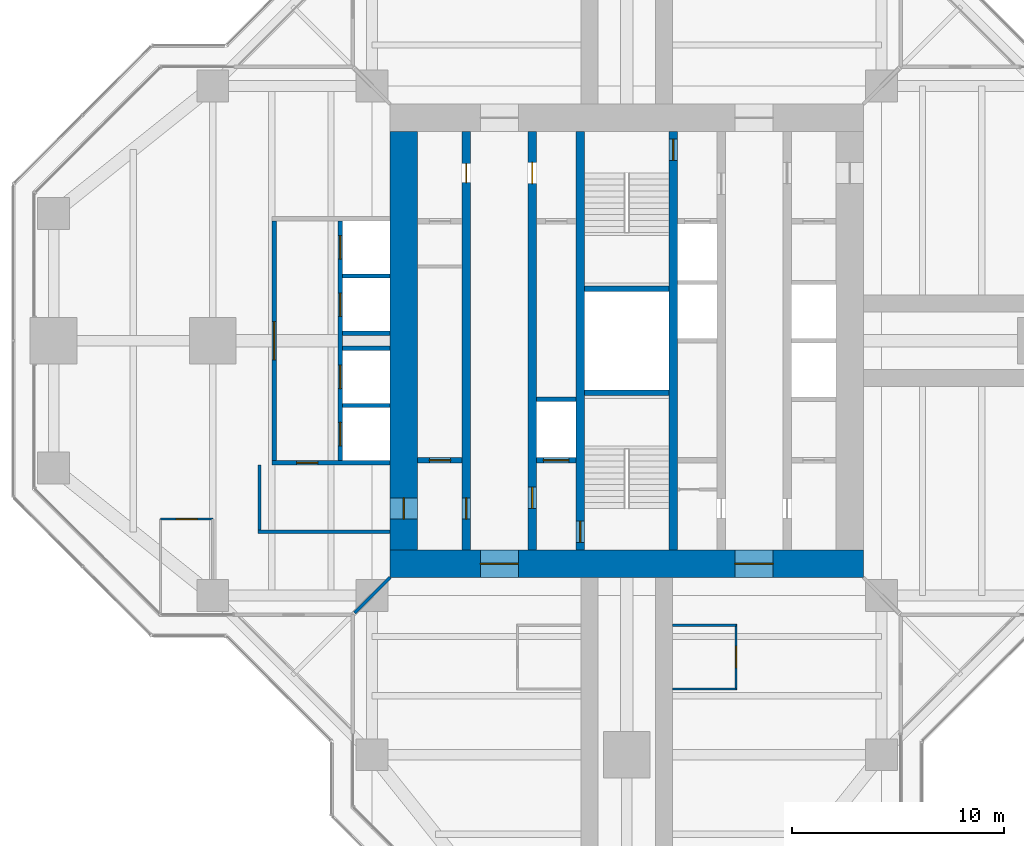
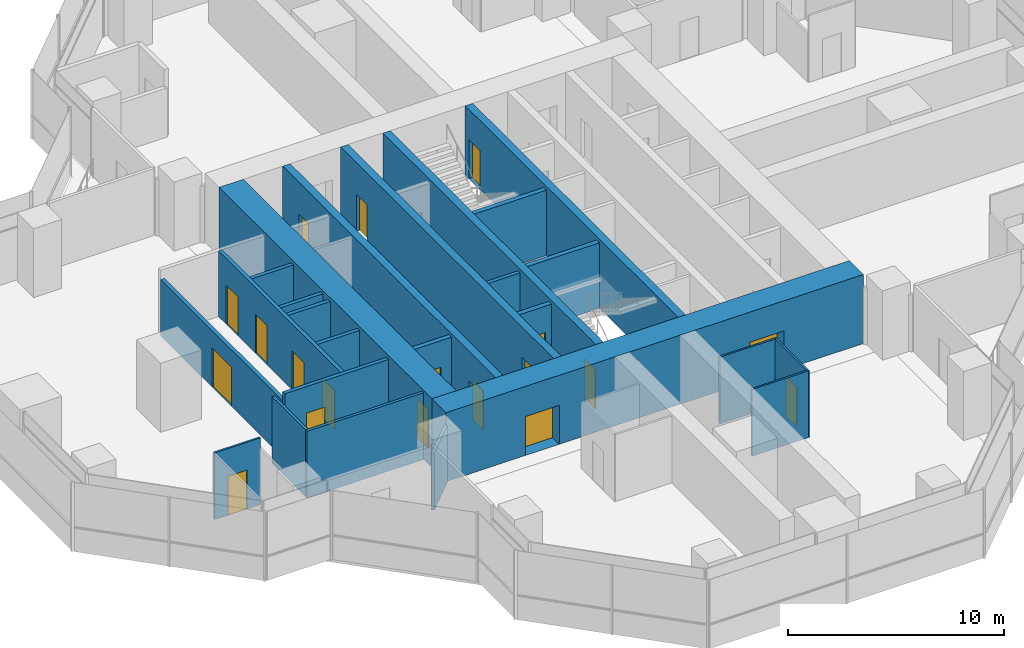
# One storey, part 13 of 17: 25 walls, 19 doors, 19 openings.
"""IFC4 building model written with IfcOpenShell, lengths in metres."""

from ifc_helpers import new_model, si_unit, direction, frame, frame_2d, origin, place, context, subcontext, project, spatial, rectangle, extrude, material, layer, layer_set, type_object, element, fill, save


model = new_model("IFC4")

# Units and contexts
model_context = context("Model", 3, precision=1e-05, world=origin(), true_north=direction((0.0, 1.0)))
body_context = subcontext(model_context, "Body", "Model", "MODEL_VIEW")
ifc_project = project(units=[si_unit("LENGTHUNIT", "METRE"), si_unit("AREAUNIT", "SQUARE_METRE"), si_unit("VOLUMEUNIT", "CUBIC_METRE"), si_unit("PLANEANGLEUNIT", "RADIAN"), si_unit("MASSUNIT", "GRAM", prefix="KILO")], contexts=[model_context])

# Site, building, storey
site_placement = place(None, origin())
site = spatial("IfcSite", under=ifc_project, at=site_placement, CompositionType="ELEMENT")
building_placement = place(site_placement, origin())
building = spatial("IfcBuilding", under=site, at=building_placement, Name="Mizan Broadcast Tower", CompositionType="ELEMENT")
storey_placement = place(building_placement, frame((0.0, 0.0, 255.60009765625)))
storey = spatial("IfcBuildingStorey", under=building, at=storey_placement, Name="L60", CompositionType="ELEMENT", Elevation=255.60009765625)

# Wall, openings, doors
ifc_material_1 = material(Name="Concrete C70/85", Category="concrete")
ifc_layer_1 = layer(ifc_material_1, 0.39990234375)
ifc_layer_set_1 = layer_set([ifc_layer_1], Name="Concrete C70/85")
wall_type_1 = type_object("IfcWallType", Name="CORE INTERNAL WALL 400", PredefinedType="SHEAR", material=ifc_layer_set_1)
wall_1_placement = place(storey_placement, frame((-7.550048828125, -9.85009765625, 0.0), z_axis=(0.0, 0.0, 1.0), x_axis=(0.0, 1.0, 0.0)))
wall_1 = element("IfcWall", 1, at=wall_1_placement, inside=storey, type_object=wall_type_1, Name="Core wall CORE/XW1", PredefinedType="SHEAR", context=body_context, shape_type="SweptSolid", body=[
    extrude(rectangle(XDim=19.7001953125, YDim=0.39990234375, at=frame_2d((9.85009765625, 0.0))), origin(), (0.0, 0.0, 1.0), 3.89990234375),
])
opening_1_placement = place(wall_1_placement, frame((1.449951171875, 0.0, 0.0)))
opening_1 = element("IfcOpeningElement", 2, at=opening_1_placement, cuts=wall_1, Name="Opening D10F", PredefinedType="OPENING", context=body_context, shape_type="SweptSolid", body=[
    extrude(rectangle(XDim=1.0, YDim=2.199951171875, at=frame_2d((0.5, 1.10009765625))), frame((0.0, 0.2099609375, 0.0), z_axis=(0.0, -1.0, 0.0), x_axis=(1.0, 0.0, 0.0)), (0.0, 0.0, 1.0), 0.419921875),
])
opening_2_placement = place(wall_1_placement, frame((17.300048828125, 0.0, 0.0)))
opening_2 = element("IfcOpeningElement", 3, at=opening_2_placement, cuts=wall_1, Name="Opening D09", PredefinedType="OPENING", context=body_context, shape_type="SweptSolid", body=[
    extrude(rectangle(XDim=0.89990234375, YDim=2.10009765625, at=frame_2d((0.449951171875, 1.050048828125))), frame((0.0, 0.2099609375, 0.0), z_axis=(0.0, -1.0, 0.0), x_axis=(1.0, 0.0, 0.0)), (0.0, 0.0, 1.0), 0.419921875),
])
ifc_material_2 = material(Name="Steel door leaf in steel frame", Category="steel")
door_type_1 = type_object("IfcDoorType", Name="FIRE DOOR 1000 FD90", OperationType="SINGLE_SWING_LEFT", PredefinedType="DOOR", material=ifc_material_2)
door_1_placement = place(opening_1_placement, origin())
door_1 = element("IfcDoor", 4, at=door_1_placement, inside=storey, type_object=door_type_1, Name="West core passage door", OperationType="SINGLE_SWING_LEFT", OverallHeight=2.199951171875, OverallWidth=1.0, PredefinedType="DOOR", context=body_context, shape_type="SweptSolid", body=[
    extrude(rectangle(XDim=1.0, YDim=2.199951171875, at=frame_2d((0.5, 1.10009765625))), frame((0.0, 0.02490234375, 0.0), z_axis=(0.0, -1.0, 0.0), x_axis=(1.0, 0.0, 0.0)), (0.0, 0.0, 1.0), 0.050048828125),
])
fill(opening_1, door_1)
ifc_material_3 = material(Name="Timber door leaf in aluminium frame", Category="wood")
door_type_2 = type_object("IfcDoorType", Name="TOILET DOOR 900", OperationType="SINGLE_SWING_LEFT", PredefinedType="DOOR", material=ifc_material_3)
door_2_placement = place(opening_2_placement, origin())
door_2 = element("IfcDoor", 5, at=door_2_placement, inside=storey, type_object=door_type_2, Name="Male WC door", OperationType="SINGLE_SWING_RIGHT", OverallHeight=2.10009765625, OverallWidth=0.89990234375, PredefinedType="DOOR", context=body_context, shape_type="SweptSolid", body=[
    extrude(rectangle(XDim=0.89990234375, YDim=2.10009765625, at=frame_2d((0.449951171875, 1.050048828125))), frame((0.0, 0.02490234375, 0.0), z_axis=(0.0, -1.0, 0.0), x_axis=(1.0, 0.0, 0.0)), (0.0, 0.0, 1.0), 0.050048828125),
])
fill(opening_2, door_2)

wall_2_placement = place(storey_placement, frame((-4.449951171875, -9.85009765625, 0.0), z_axis=(0.0, 0.0, 1.0), x_axis=(0.0, 1.0, 0.0)))
wall_2 = element("IfcWall", 6, at=wall_2_placement, inside=storey, type_object=wall_type_1, Name="Core wall CORE/XWH", PredefinedType="SHEAR", context=body_context, shape_type="SweptSolid", body=[
    extrude(rectangle(XDim=19.7001953125, YDim=0.39990234375, at=frame_2d((9.85009765625, 0.0))), origin(), (0.0, 0.0, 1.0), 3.89990234375),
])
opening_3_placement = place(wall_2_placement, frame((1.949951171875, 0.0, 0.0)))
opening_3 = element("IfcOpeningElement", 7, at=opening_3_placement, cuts=wall_2, Name="Opening D10F", PredefinedType="OPENING", context=body_context, shape_type="SweptSolid", body=[
    extrude(rectangle(XDim=1.0, YDim=2.199951171875, at=frame_2d((0.5, 1.10009765625))), frame((0.0, 0.2099609375, 0.0), z_axis=(0.0, -1.0, 0.0), x_axis=(1.0, 0.0, 0.0)), (0.0, 0.0, 1.0), 0.419921875),
])
opening_4_placement = place(wall_2_placement, frame((17.25, 0.0, 0.0)))
opening_4 = element("IfcOpeningElement", 8, at=opening_4_placement, cuts=wall_2, Name="Opening D10A", PredefinedType="OPENING", context=body_context, shape_type="SweptSolid", body=[
    extrude(rectangle(XDim=1.0, YDim=2.10009765625, at=frame_2d((0.5, 1.050048828125))), frame((0.0, 0.2099609375, 0.0), z_axis=(0.0, -1.0, 0.0), x_axis=(1.0, 0.0, 0.0)), (0.0, 0.0, 1.0), 0.419921875),
])
ifc_material_4 = material(Name="Timber door leaf in aluminium frame", Category="wood")
door_type_3 = type_object("IfcDoorType", Name="ACCESSIBLE WC DOOR 1000", OperationType="SLIDING_TO_LEFT", PredefinedType="DOOR", material=ifc_material_4)
door_3_placement = place(opening_4_placement, origin())
door_3 = element("IfcDoor", 9, at=door_3_placement, inside=storey, type_object=door_type_3, Name="Accessible WC door", OperationType="SLIDING_TO_LEFT", OverallHeight=2.10009765625, OverallWidth=1.0, PredefinedType="DOOR", context=body_context, shape_type="SweptSolid", body=[
    extrude(rectangle(XDim=1.0, YDim=2.10009765625, at=frame_2d((0.5, 1.050048828125))), frame((0.0, 0.02490234375, 0.0), z_axis=(0.0, -1.0, 0.0), x_axis=(1.0, 0.0, 0.0)), (0.0, 0.0, 1.0), 0.050048828125),
])
fill(opening_4, door_3)
door_4_placement = place(opening_3_placement, origin())
door_4 = element("IfcDoor", 10, at=door_4_placement, inside=storey, type_object=door_type_1, Name="Firefighting lobby A door", OperationType="SINGLE_SWING_LEFT", OverallHeight=2.199951171875, OverallWidth=1.0, PredefinedType="DOOR", context=body_context, shape_type="SweptSolid", body=[
    extrude(rectangle(XDim=1.0, YDim=2.199951171875, at=frame_2d((0.5, 1.10009765625))), frame((0.0, 0.02490234375, 0.0), z_axis=(0.0, -1.0, 0.0), x_axis=(1.0, 0.0, 0.0)), (0.0, 0.0, 1.0), 0.050048828125),
])
fill(opening_3, door_4)

# Wall, opening, door
wall_3_placement = place(storey_placement, frame((-2.199951171875, -9.85009765625, 0.0), z_axis=(0.0, 0.0, 1.0), x_axis=(0.0, 1.0, 0.0)))
wall_3 = element("IfcWall", 11, at=wall_3_placement, inside=storey, type_object=wall_type_1, Name="Core wall CORE/XW2", PredefinedType="SHEAR", context=body_context, shape_type="SweptSolid", body=[
    extrude(rectangle(XDim=19.7001953125, YDim=0.39990234375, at=frame_2d((9.85009765625, 0.0))), origin(), (0.0, 0.0, 1.0), 3.89990234375),
])
opening_5_placement = place(wall_3_placement, frame((0.35009765625, 0.0, 0.0)))
opening_5 = element("IfcOpeningElement", 12, at=opening_5_placement, cuts=wall_3, Name="Opening D10S", PredefinedType="OPENING", context=body_context, shape_type="SweptSolid", body=[
    extrude(rectangle(XDim=1.0, YDim=2.199951171875, at=frame_2d((0.5, 1.10009765625))), frame((0.0, 0.2099609375, 0.0), z_axis=(0.0, -1.0, 0.0), x_axis=(1.0, 0.0, 0.0)), (0.0, 0.0, 1.0), 0.419921875),
])
ifc_material_5 = material(Name="Steel door leaf in steel frame", Category="steel")
door_type_4 = type_object("IfcDoorType", Name="STAIR DOOR 1000 FD90S", OperationType="SINGLE_SWING_RIGHT", PredefinedType="DOOR", material=ifc_material_5)
door_5_placement = place(opening_5_placement, origin())
door_5 = element("IfcDoor", 13, at=door_5_placement, inside=storey, type_object=door_type_4, Name="Stair A door", OperationType="SINGLE_SWING_RIGHT", OverallHeight=2.199951171875, OverallWidth=1.0, PredefinedType="DOOR", context=body_context, shape_type="SweptSolid", body=[
    extrude(rectangle(XDim=1.0, YDim=2.199951171875, at=frame_2d((0.5, 1.10009765625))), frame((0.0, 0.02490234375, 0.0), z_axis=(0.0, -1.0, 0.0), x_axis=(1.0, 0.0, 0.0)), (0.0, 0.0, 1.0), 0.050048828125),
])
fill(opening_5, door_5)

wall_4_placement = place(storey_placement, frame((2.199951171875, 9.85009765625, 0.0), z_axis=(0.0, 0.0, 1.0), x_axis=(0.0, -1.0, 0.0)))
wall_4 = element("IfcWall", 14, at=wall_4_placement, inside=storey, type_object=wall_type_1, Name="Core wall CORE/XW2E", PredefinedType="SHEAR", context=body_context, shape_type="SweptSolid", body=[
    extrude(rectangle(XDim=19.7001953125, YDim=0.39990234375, at=frame_2d((9.85009765625, 0.0))), origin(), (0.0, 0.0, 1.0), 3.89990234375),
])
opening_6_placement = place(wall_4_placement, frame((0.35009765625, 0.0, 0.0)))
opening_6 = element("IfcOpeningElement", 15, at=opening_6_placement, cuts=wall_4, Name="Opening D10S", PredefinedType="OPENING", context=body_context, shape_type="SweptSolid", body=[
    extrude(rectangle(XDim=1.0, YDim=2.199951171875, at=frame_2d((0.5, 1.10009765625))), frame((0.0, 0.2099609375, 0.0), z_axis=(0.0, -1.0, 0.0), x_axis=(1.0, 0.0, 0.0)), (0.0, 0.0, 1.0), 0.419921875),
])
door_6_placement = place(opening_6_placement, origin())
door_6 = element("IfcDoor", 16, at=door_6_placement, inside=storey, type_object=door_type_4, Name="Stair B door", OperationType="SINGLE_SWING_RIGHT", OverallHeight=2.199951171875, OverallWidth=1.0, PredefinedType="DOOR", context=body_context, shape_type="SweptSolid", body=[
    extrude(rectangle(XDim=1.0, YDim=2.199951171875, at=frame_2d((0.5, 1.10009765625))), frame((0.0, 0.02490234375, 0.0), z_axis=(0.0, -1.0, 0.0), x_axis=(1.0, 0.0, 0.0)), (0.0, 0.0, 1.0), 0.050048828125),
])
fill(opening_6, door_6)

# Wall, openings, doors
ifc_material_6 = material(Name="Concrete C70/85", Category="concrete")
ifc_layer_2 = layer(ifc_material_6, 1.300048828125)
ifc_layer_set_2 = layer_set([ifc_layer_2], Name="Concrete C70/85")
wall_type_2 = type_object("IfcWallType", Name="CORE WALL 1300", PredefinedType="SHEAR", material=ifc_layer_set_2)
wall_5_placement = place(storey_placement, frame((11.14990234375, -10.5, 0.0), z_axis=(0.0, 0.0, 1.0), x_axis=(-1.0, 0.0, 0.0)))
wall_5 = element("IfcWall", 17, at=wall_5_placement, inside=storey, type_object=wall_type_2, Name="Core wall S L60", PredefinedType="SHEAR", context=body_context, shape_type="SweptSolid", body=[
    extrude(rectangle(XDim=22.2998046875, YDim=1.300048828125, at=frame_2d((11.14990234375, 0.0))), origin(), (0.0, 0.0, 1.0), 3.89990234375),
])
opening_7_placement = place(wall_5_placement, frame((16.25, 0.0, 0.0)))
opening_7 = element("IfcOpeningElement", 18, at=opening_7_placement, cuts=wall_5, Name="Opening D18F", PredefinedType="OPENING", context=body_context, shape_type="SweptSolid", body=[
    extrude(rectangle(XDim=1.800048828125, YDim=2.199951171875, at=frame_2d((0.89990234375, 1.10009765625))), frame((0.0, 0.659912109375, 0.0), z_axis=(0.0, -1.0, 0.0), x_axis=(1.0, 0.0, 0.0)), (0.0, 0.0, 1.0), 1.320068359375),
])
opening_8_placement = place(wall_5_placement, frame((4.25, 0.0, 0.0)))
opening_8 = element("IfcOpeningElement", 19, at=opening_8_placement, cuts=wall_5, Name="Opening D18F", PredefinedType="OPENING", context=body_context, shape_type="SweptSolid", body=[
    extrude(rectangle(XDim=1.800048828125, YDim=2.199951171875, at=frame_2d((0.89990234375, 1.10009765625))), frame((0.0, 0.659912109375, 0.0), z_axis=(0.0, -1.0, 0.0), x_axis=(1.0, 0.0, 0.0)), (0.0, 0.0, 1.0), 1.320068359375),
])
ifc_material_7 = material(Name="Steel door leaf in steel frame", Category="steel")
door_type_5 = type_object("IfcDoorType", Name="LOBBY DOUBLE DOOR 1800 FD90", OperationType="DOUBLE_DOOR_DOUBLE_SWING", PredefinedType="DOOR", material=ifc_material_7)
door_7_placement = place(opening_7_placement, origin())
door_7 = element("IfcDoor", 20, at=door_7_placement, inside=storey, type_object=door_type_5, Name="West lift lobby south door", OperationType="DOUBLE_DOOR_DOUBLE_SWING", OverallHeight=2.199951171875, OverallWidth=1.800048828125, PredefinedType="DOOR", context=body_context, shape_type="SweptSolid", body=[
    extrude(rectangle(XDim=1.800048828125, YDim=2.199951171875, at=frame_2d((0.89990234375, 1.10009765625))), frame((0.0, 0.02490234375, 0.0), z_axis=(0.0, -1.0, 0.0), x_axis=(1.0, 0.0, 0.0)), (0.0, 0.0, 1.0), 0.050048828125),
])
fill(opening_7, door_7)
door_8_placement = place(opening_8_placement, origin())
door_8 = element("IfcDoor", 21, at=door_8_placement, inside=storey, type_object=door_type_5, Name="East lift lobby south door", OperationType="DOUBLE_DOOR_DOUBLE_SWING", OverallHeight=2.199951171875, OverallWidth=1.800048828125, PredefinedType="DOOR", context=body_context, shape_type="SweptSolid", body=[
    extrude(rectangle(XDim=1.800048828125, YDim=2.199951171875, at=frame_2d((0.89990234375, 1.10009765625))), frame((0.0, 0.02490234375, 0.0), z_axis=(0.0, -1.0, 0.0), x_axis=(1.0, 0.0, 0.0)), (0.0, 0.0, 1.0), 0.050048828125),
])
fill(opening_8, door_8)

# Wall, opening, door
wall_6_placement = place(storey_placement, frame((-10.5, 9.85009765625, 0.0), z_axis=(0.0, 0.0, 1.0), x_axis=(0.0, -1.0, 0.0)))
wall_6 = element("IfcWall", 22, at=wall_6_placement, inside=storey, type_object=wall_type_2, Name="Core wall W L60", PredefinedType="SHEAR", context=body_context, shape_type="SweptSolid", body=[
    extrude(rectangle(XDim=19.7001953125, YDim=1.300048828125, at=frame_2d((9.85009765625, 0.0))), origin(), (0.0, 0.0, 1.0), 3.89990234375),
])
opening_9_placement = place(wall_6_placement, frame((17.25, 0.0, 0.0)))
opening_9 = element("IfcOpeningElement", 23, at=opening_9_placement, cuts=wall_6, Name="Opening D10F", PredefinedType="OPENING", context=body_context, shape_type="SweptSolid", body=[
    extrude(rectangle(XDim=1.0, YDim=2.199951171875, at=frame_2d((0.5, 1.10009765625))), frame((0.0, 0.659912109375, 0.0), z_axis=(0.0, -1.0, 0.0), x_axis=(1.0, 0.0, 0.0)), (0.0, 0.0, 1.0), 1.320068359375),
])
door_9_placement = place(opening_9_placement, origin())
door_9 = element("IfcDoor", 24, at=door_9_placement, inside=storey, type_object=door_type_1, Name="West core passage arm door", OperationType="SINGLE_SWING_RIGHT", OverallHeight=2.199951171875, OverallWidth=1.0, PredefinedType="DOOR", context=body_context, shape_type="SweptSolid", body=[
    extrude(rectangle(XDim=1.0, YDim=2.199951171875, at=frame_2d((0.5, 1.10009765625))), frame((0.0, 0.02490234375, 0.0), z_axis=(0.0, -1.0, 0.0), x_axis=(1.0, 0.0, 0.0)), (0.0, 0.0, 1.0), 0.050048828125),
])
fill(opening_9, door_9)

# Wall
ifc_material_8 = material(Name="Concrete blockwork", Category="masonry")
ifc_layer_3 = layer(ifc_material_8, 0.199951171875)
ifc_layer_set_3 = layer_set([ifc_layer_3], Name="Concrete blockwork")
wall_type_3 = type_object("IfcWallType", Name="LIFT SHAFT WALL 200", PredefinedType="SOLIDWALL", material=ifc_layer_set_3)
wall_7_placement = place(storey_placement, frame((-4.25, -2.75, 0.0), z_axis=(0.0, 0.0, 1.0), x_axis=(1.0, 0.0, 0.0)))
element("IfcWall", 25, at=wall_7_placement, inside=storey, type_object=wall_type_3, Name="Lift shaft wall CORE/SW2-1", PredefinedType="SOLIDWALL", context=body_context, shape_type="SweptSolid", body=[
    extrude(rectangle(XDim=1.85009765625, YDim=0.199951171875, at=frame_2d((0.925048828125, 0.0))), origin(), (0.0, 0.0, 1.0), 3.699951171875),
])

# Wall, openings, doors
wall_8_placement = place(storey_placement, frame((-13.5, 5.64990234375, 0.0), z_axis=(0.0, 0.0, 1.0), x_axis=(0.0, -1.0, 0.0)))
wall_8 = element("IfcWall", 26, at=wall_8_placement, inside=storey, type_object=wall_type_3, Name="Lift shaft wall LC/F", PredefinedType="SOLIDWALL", context=body_context, shape_type="SweptSolid", body=[
    extrude(rectangle(XDim=11.2998046875, YDim=0.199951171875, at=frame_2d((5.64990234375, 0.0))), origin(), (0.0, 0.0, 1.0), 3.699951171875),
])
opening_10_placement = place(wall_8_placement, frame((0.699951171875, 0.0, 0.0)))
opening_10 = element("IfcOpeningElement", 27, at=opening_10_placement, cuts=wall_8, Name="Opening LD", PredefinedType="OPENING", context=body_context, shape_type="SweptSolid", body=[
    extrude(rectangle(XDim=1.10009765625, YDim=2.199951171875, at=frame_2d((0.550048828125, 1.10009765625))), frame((0.0, 0.10986328125, 0.0), z_axis=(0.0, -1.0, 0.0), x_axis=(1.0, 0.0, 0.0)), (0.0, 0.0, 1.0), 0.219970703125),
])
opening_11_placement = place(wall_8_placement, frame((3.39990234375, 0.0, 0.0)))
opening_11 = element("IfcOpeningElement", 28, at=opening_11_placement, cuts=wall_8, Name="Opening LD", PredefinedType="OPENING", context=body_context, shape_type="SweptSolid", body=[
    extrude(rectangle(XDim=1.10009765625, YDim=2.199951171875, at=frame_2d((0.550048828125, 1.10009765625))), frame((0.0, 0.10986328125, 0.0), z_axis=(0.0, -1.0, 0.0), x_axis=(1.0, 0.0, 0.0)), (0.0, 0.0, 1.0), 0.219970703125),
])
opening_12_placement = place(wall_8_placement, frame((6.800048828125, 0.0, 0.0)))
opening_12 = element("IfcOpeningElement", 29, at=opening_12_placement, cuts=wall_8, Name="Opening LD", PredefinedType="OPENING", context=body_context, shape_type="SweptSolid", body=[
    extrude(rectangle(XDim=1.10009765625, YDim=2.199951171875, at=frame_2d((0.550048828125, 1.10009765625))), frame((0.0, 0.10986328125, 0.0), z_axis=(0.0, -1.0, 0.0), x_axis=(1.0, 0.0, 0.0)), (0.0, 0.0, 1.0), 0.219970703125),
])
opening_13_placement = place(wall_8_placement, frame((9.5, 0.0, 0.0)))
opening_13 = element("IfcOpeningElement", 30, at=opening_13_placement, cuts=wall_8, Name="Opening LD", PredefinedType="OPENING", context=body_context, shape_type="SweptSolid", body=[
    extrude(rectangle(XDim=1.10009765625, YDim=2.199951171875, at=frame_2d((0.550048828125, 1.10009765625))), frame((0.0, 0.10986328125, 0.0), z_axis=(0.0, -1.0, 0.0), x_axis=(1.0, 0.0, 0.0)), (0.0, 0.0, 1.0), 0.219970703125),
])
ifc_material_9 = material(Name="Steel door leaf in steel frame", Category="steel")
door_type_6 = type_object("IfcDoorType", Name="LIFT LANDING DOOR 1100", OperationType="SLIDING_TO_LEFT", PredefinedType="DOOR", material=ifc_material_9)
door_10_placement = place(opening_10_placement, origin())
door_10 = element("IfcDoor", 31, at=door_10_placement, inside=storey, type_object=door_type_6, Name="Landing door LC1", OperationType="SLIDING_TO_LEFT", OverallHeight=2.199951171875, OverallWidth=1.10009765625, PredefinedType="DOOR", context=body_context, shape_type="SweptSolid", body=[
    extrude(rectangle(XDim=1.10009765625, YDim=2.199951171875, at=frame_2d((0.550048828125, 1.10009765625))), frame((0.0, 0.02490234375, 0.0), z_axis=(0.0, -1.0, 0.0), x_axis=(1.0, 0.0, 0.0)), (0.0, 0.0, 1.0), 0.050048828125),
])
fill(opening_10, door_10)
door_11_placement = place(opening_11_placement, origin())
door_11 = element("IfcDoor", 32, at=door_11_placement, inside=storey, type_object=door_type_6, Name="Landing door LC2", OperationType="SLIDING_TO_LEFT", OverallHeight=2.199951171875, OverallWidth=1.10009765625, PredefinedType="DOOR", context=body_context, shape_type="SweptSolid", body=[
    extrude(rectangle(XDim=1.10009765625, YDim=2.199951171875, at=frame_2d((0.550048828125, 1.10009765625))), frame((0.0, 0.02490234375, 0.0), z_axis=(0.0, -1.0, 0.0), x_axis=(1.0, 0.0, 0.0)), (0.0, 0.0, 1.0), 0.050048828125),
])
fill(opening_11, door_11)
door_12_placement = place(opening_12_placement, origin())
door_12 = element("IfcDoor", 33, at=door_12_placement, inside=storey, type_object=door_type_6, Name="Landing door LC3", OperationType="SLIDING_TO_LEFT", OverallHeight=2.199951171875, OverallWidth=1.10009765625, PredefinedType="DOOR", context=body_context, shape_type="SweptSolid", body=[
    extrude(rectangle(XDim=1.10009765625, YDim=2.199951171875, at=frame_2d((0.550048828125, 1.10009765625))), frame((0.0, 0.02490234375, 0.0), z_axis=(0.0, -1.0, 0.0), x_axis=(1.0, 0.0, 0.0)), (0.0, 0.0, 1.0), 0.050048828125),
])
fill(opening_12, door_12)
door_13_placement = place(opening_13_placement, origin())
door_13 = element("IfcDoor", 34, at=door_13_placement, inside=storey, type_object=door_type_6, Name="Landing door LC4", OperationType="SLIDING_TO_LEFT", OverallHeight=2.199951171875, OverallWidth=1.10009765625, PredefinedType="DOOR", context=body_context, shape_type="SweptSolid", body=[
    extrude(rectangle(XDim=1.10009765625, YDim=2.199951171875, at=frame_2d((0.550048828125, 1.10009765625))), frame((0.0, 0.02490234375, 0.0), z_axis=(0.0, -1.0, 0.0), x_axis=(1.0, 0.0, 0.0)), (0.0, 0.0, 1.0), 0.050048828125),
])
fill(opening_13, door_13)

# Wall, opening, door
wall_9_placement = place(storey_placement, frame((-11.14990234375, -5.75, 0.0), z_axis=(0.0, 0.0, 1.0), x_axis=(-1.0, 0.0, 0.0)))
wall_9 = element("IfcWall", 35, at=wall_9_placement, inside=storey, type_object=wall_type_3, Name="Lift shaft wall LC/S2", PredefinedType="SOLIDWALL", context=body_context, shape_type="SweptSolid", body=[
    extrude(rectangle(XDim=5.550048828125, YDim=0.199951171875, at=frame_2d((2.77490234375, 0.0))), origin(), (0.0, 0.0, 1.0), 3.699951171875),
])
opening_14_placement = place(wall_9_placement, frame((3.39990234375, 0.0, 0.0)))
opening_14 = element("IfcOpeningElement", 36, at=opening_14_placement, cuts=wall_9, Name="Opening D10F", PredefinedType="OPENING", context=body_context, shape_type="SweptSolid", body=[
    extrude(rectangle(XDim=1.0, YDim=2.199951171875, at=frame_2d((0.5, 1.10009765625))), frame((0.0, 0.10986328125, 0.0), z_axis=(0.0, -1.0, 0.0), x_axis=(1.0, 0.0, 0.0)), (0.0, 0.0, 1.0), 0.219970703125),
])
door_14_placement = place(opening_14_placement, origin())
door_14 = element("IfcDoor", 37, at=door_14_placement, inside=storey, type_object=door_type_1, Name="High-rise lobby corridor door", OperationType="SINGLE_SWING_RIGHT", OverallHeight=2.199951171875, OverallWidth=1.0, PredefinedType="DOOR", context=body_context, shape_type="SweptSolid", body=[
    extrude(rectangle(XDim=1.0, YDim=2.199951171875, at=frame_2d((0.5, 1.10009765625))), frame((0.0, 0.02490234375, 0.0), z_axis=(0.0, -1.0, 0.0), x_axis=(1.0, 0.0, 0.0)), (0.0, 0.0, 1.0), 0.050048828125),
])
fill(opening_14, door_14)

# Walls
for number, where, z_axis, x_axis, name in (
    (38, (-11.14990234375, 3.050048828125, 0.0), (0.0, 0.0, 1.0), (-1.0, 0.0, 0.0), "Lift shaft wall LC/SP1"),
    (39, (-11.14990234375, 0.35009765625, 0.0), (0.0, 0.0, 1.0), (-1.0, 0.0, 0.0), "Lift shaft wall LC/SP2"),
    (40, (-11.14990234375, -0.35009765625, 0.0), (0.0, 0.0, 1.0), (-1.0, 0.0, 0.0), "Lift shaft wall LC/SP3"),
    (41, (-11.14990234375, -3.050048828125, 0.0), (0.0, 0.0, 1.0), (-1.0, 0.0, 0.0), "Lift shaft wall LC/SP4"),
):
    element("IfcWall", number, at=place(storey_placement, frame(where, z_axis=z_axis, x_axis=x_axis)), inside=storey, type_object=wall_type_3, Name=name, PredefinedType="SOLIDWALL", context=body_context, shape_type="SweptSolid", body=[
        extrude(rectangle(XDim=2.25, YDim=0.199951171875, at=frame_2d((1.125, 0.0))), origin(), (0.0, 0.0, 1.0), 3.699951171875),
    ])

# Wall, opening, door
ifc_material_10 = material(Name="Concrete blockwork", Category="masonry")
ifc_layer_4 = layer(ifc_material_10, 0.25)
ifc_layer_set_4 = layer_set([ifc_layer_4], Name="Concrete blockwork")
wall_type_4 = type_object("IfcWallType", Name="LOBBY ENCLOSURE WALL 250", PredefinedType="SOLIDWALL", material=ifc_layer_set_4)
wall_10_placement = place(storey_placement, frame((-9.85009765625, -5.625, 0.0), z_axis=(0.0, 0.0, 1.0), x_axis=(1.0, 0.0, 0.0)))
wall_10 = element("IfcWall", 42, at=wall_10_placement, inside=storey, type_object=wall_type_4, Name="Lobby enclosure wall CORE/BW1S", PredefinedType="SOLIDWALL", context=body_context, shape_type="SweptSolid", body=[
    extrude(rectangle(XDim=2.10009765625, YDim=0.25, at=frame_2d((1.050048828125, 0.0))), origin(), (0.0, 0.0, 1.0), 3.699951171875),
])
opening_15_placement = place(wall_10_placement, frame((0.550048828125, 0.0, 0.0)))
opening_15 = element("IfcOpeningElement", 43, at=opening_15_placement, cuts=wall_10, Name="Opening D10F", PredefinedType="OPENING", context=body_context, shape_type="SweptSolid", body=[
    extrude(rectangle(XDim=1.0, YDim=2.199951171875, at=frame_2d((0.5, 1.10009765625))), frame((0.0, 0.135009765625, 0.0), z_axis=(0.0, -1.0, 0.0), x_axis=(1.0, 0.0, 0.0)), (0.0, 0.0, 1.0), 0.27001953125),
])
door_15_placement = place(opening_15_placement, origin())
door_15 = element("IfcDoor", 44, at=door_15_placement, inside=storey, type_object=door_type_1, Name="Staff pantry door", OperationType="SINGLE_SWING_RIGHT", OverallHeight=2.199951171875, OverallWidth=1.0, PredefinedType="DOOR", context=body_context, shape_type="SweptSolid", body=[
    extrude(rectangle(XDim=1.0, YDim=2.199951171875, at=frame_2d((0.5, 1.10009765625))), frame((0.0, 0.02490234375, 0.0), z_axis=(0.0, -1.0, 0.0), x_axis=(1.0, 0.0, 0.0)), (0.0, 0.0, 1.0), 0.050048828125),
])
fill(opening_15, door_15)

wall_11_placement = place(storey_placement, frame((-4.25, -5.625, 0.0), z_axis=(0.0, 0.0, 1.0), x_axis=(1.0, 0.0, 0.0)))
wall_11 = element("IfcWall", 45, at=wall_11_placement, inside=storey, type_object=wall_type_4, Name="Lobby enclosure wall CORE/BW2S", PredefinedType="SOLIDWALL", context=body_context, shape_type="SweptSolid", body=[
    extrude(rectangle(XDim=1.85009765625, YDim=0.25, at=frame_2d((0.925048828125, 0.0))), origin(), (0.0, 0.0, 1.0), 3.699951171875),
])
opening_16_placement = place(wall_11_placement, frame((0.324951171875, 0.0, 0.0)))
opening_16 = element("IfcOpeningElement", 46, at=opening_16_placement, cuts=wall_11, Name="Opening LDF", PredefinedType="OPENING", context=body_context, shape_type="SweptSolid", body=[
    extrude(rectangle(XDim=1.199951171875, YDim=2.199951171875, at=frame_2d((0.60009765625, 1.10009765625))), frame((0.0, 0.135009765625, 0.0), z_axis=(0.0, -1.0, 0.0), x_axis=(1.0, 0.0, 0.0)), (0.0, 0.0, 1.0), 0.27001953125),
])
ifc_material_11 = material(Name="Steel door leaf in steel frame", Category="steel")
door_type_7 = type_object("IfcDoorType", Name="FIREFIGHTING LIFT LANDING DOOR 1200", OperationType="SLIDING_TO_LEFT", PredefinedType="DOOR", material=ifc_material_11)
door_16_placement = place(opening_16_placement, origin())
door_16 = element("IfcDoor", 47, at=door_16_placement, inside=storey, type_object=door_type_7, Name="Landing door FF1", OperationType="SLIDING_TO_LEFT", OverallHeight=2.199951171875, OverallWidth=1.199951171875, PredefinedType="DOOR", context=body_context, shape_type="SweptSolid", body=[
    extrude(rectangle(XDim=1.199951171875, YDim=2.199951171875, at=frame_2d((0.60009765625, 1.10009765625))), frame((0.0, 0.02490234375, 0.0), z_axis=(0.0, -1.0, 0.0), x_axis=(1.0, 0.0, 0.0)), (0.0, 0.0, 1.0), 0.050048828125),
])
fill(opening_16, door_16)

# Walls
for number, where, z_axis, x_axis, name in (
    (48, (-2.0, -2.449951171875, 0.0), (0.0, 0.0, 1.0), (1.0, 0.0, 0.0), "Lobby enclosure wall CORE/STA"),
    (49, (-2.0, 2.449951171875, 0.0), (0.0, 0.0, 1.0), (1.0, 0.0, 0.0), "Lobby enclosure wall CORE/STB"),
):
    element("IfcWall", number, at=place(storey_placement, frame(where, z_axis=z_axis, x_axis=x_axis)), inside=storey, type_object=wall_type_4, Name=name, PredefinedType="SOLIDWALL", context=body_context, shape_type="SweptSolid", body=[
        extrude(rectangle(XDim=4.0, YDim=0.25, at=frame_2d((2.0, 0.0))), origin(), (0.0, 0.0, 1.0), 3.699951171875),
    ])

# Wall, opening, door
wall_12_placement = place(storey_placement, frame((-16.60009765625, 5.64990234375, 0.0), z_axis=(0.0, 0.0, 1.0), x_axis=(0.0, -1.0, 0.0)))
wall_12 = element("IfcWall", 50, at=wall_12_placement, inside=storey, type_object=wall_type_4, Name="Lobby enclosure wall LC/LF", PredefinedType="SOLIDWALL", context=body_context, shape_type="SweptSolid", body=[
    extrude(rectangle(XDim=11.2998046875, YDim=0.199951171875, at=frame_2d((5.64990234375, 0.0))), origin(), (0.0, 0.0, 1.0), 3.179931640625),
])
opening_17_placement = place(wall_12_placement, frame((4.75, 0.0, 0.0)))
opening_17 = element("IfcOpeningElement", 51, at=opening_17_placement, cuts=wall_12, Name="Opening D18F", PredefinedType="OPENING", context=body_context, shape_type="SweptSolid", body=[
    extrude(rectangle(XDim=1.800048828125, YDim=2.199951171875, at=frame_2d((0.89990234375, 1.10009765625))), frame((0.0, 0.10986328125, 0.0), z_axis=(0.0, -1.0, 0.0), x_axis=(1.0, 0.0, 0.0)), (0.0, 0.0, 1.0), 0.219970703125),
])
door_17_placement = place(opening_17_placement, origin())
door_17 = element("IfcDoor", 52, at=door_17_placement, inside=storey, type_object=door_type_5, Name="High-rise lift lobby door", OperationType="DOUBLE_DOOR_DOUBLE_SWING", OverallHeight=2.199951171875, OverallWidth=1.800048828125, PredefinedType="DOOR", context=body_context, shape_type="SweptSolid", body=[
    extrude(rectangle(XDim=1.800048828125, YDim=2.199951171875, at=frame_2d((0.89990234375, 1.10009765625))), frame((0.0, 0.02490234375, 0.0), z_axis=(0.0, -1.0, 0.0), x_axis=(1.0, 0.0, 0.0)), (0.0, 0.0, 1.0), 0.050048828125),
])
fill(opening_17, door_17)

# Walls
ifc_material_12 = material(Name="Gypsum board on steel studs", Category="steel")
ifc_layer_5 = layer(ifc_material_12, 0.14990234375)
ifc_layer_set_5 = layer_set([ifc_layer_5], Name="Gypsum board on steel studs")
wall_type_5 = type_object("IfcWallType", Name="PARTITION 150", PredefinedType="PARTITIONING", material=ifc_layer_set_5)
wall_13_placement = place(storey_placement, frame((-11.14990234375, -11.14990234375, 0.0), z_axis=(0.0, 0.0, 1.0), x_axis=(-0.707106781187, -0.707106781187, 0.0)))
element("IfcWall", 53, at=wall_13_placement, inside=storey, type_object=wall_type_5, Name="Partition PT/DGWS", PredefinedType="PARTITIONING", context=body_context, shape_type="SweptSolid", body=[
    extrude(rectangle(XDim=2.362060546875, YDim=0.14990234375, at=frame_2d((1.18115234375, 0.0))), origin(), (0.0, 0.0, 1.0), 3.219970703125),
])
wall_14_placement = place(storey_placement, frame((-11.14990234375, -9.0, 0.0), z_axis=(0.0, 0.0, 1.0), x_axis=(-1.0, 0.0, 0.0)))
element("IfcWall", 54, at=wall_14_placement, inside=storey, type_object=wall_type_5, Name="Partition PT/LCC1", PredefinedType="PARTITIONING", context=body_context, shape_type="SweptSolid", body=[
    extrude(rectangle(XDim=6.22509765625, YDim=0.14990234375, at=frame_2d((3.112548828125, 0.0))), origin(), (0.0, 0.0, 1.0), 3.77001953125),
])
wall_15_placement = place(storey_placement, frame((-17.300048828125, -5.85009765625, 0.0), z_axis=(0.0, 0.0, 1.0), x_axis=(0.0, -1.0, 0.0)))
element("IfcWall", 55, at=wall_15_placement, inside=storey, type_object=wall_type_5, Name="Partition PT/LCC2", PredefinedType="PARTITIONING", context=body_context, shape_type="SweptSolid", body=[
    extrude(rectangle(XDim=3.074951171875, YDim=0.14990234375, at=frame_2d((1.53759765625, 0.0))), origin(), (0.0, 0.0, 1.0), 3.77001953125),
])

# Wall, opening, door
ifc_material_13 = material(Name="Glazed aluminium partition on aluminium track", Category="aluminium")
ifc_layer_6 = layer(ifc_material_13, 0.10009765625)
ifc_layer_set_6 = layer_set([ifc_layer_6], Name="Glazed aluminium partition on aluminium track")
wall_type_6 = type_object("IfcWallType", Name="PARTITION GLAZED OFFICE FRONT 100", PredefinedType="PARTITIONING", material=ifc_layer_set_6)
wall_16_placement = place(storey_placement, frame((-19.5, -8.39990234375, 0.0), z_axis=(0.0, 0.0, 1.0), x_axis=(-1.0, 0.0, 0.0)))
wall_16 = element("IfcWall", 56, at=wall_16_placement, inside=storey, type_object=wall_type_6, Name="Glazed office front PT/WCP0", PredefinedType="PARTITIONING", context=body_context, shape_type="SweptSolid", body=[
    extrude(rectangle(XDim=2.458984375, YDim=0.10009765625, at=frame_2d((1.2294921875, 0.0))), origin(), (0.0, 0.0, 1.0), 3.77001953125),
])
opening_18_placement = place(wall_16_placement, frame((0.7294921875, 0.0, 0.0)))
opening_18 = element("IfcOpeningElement", 57, at=opening_18_placement, cuts=wall_16, Name="Opening D10O", PredefinedType="OPENING", context=body_context, shape_type="SweptSolid", body=[
    extrude(rectangle(XDim=1.0, YDim=2.199951171875, at=frame_2d((0.5, 1.10009765625))), frame((0.0, 0.06005859375, 0.0), z_axis=(0.0, -1.0, 0.0), x_axis=(1.0, 0.0, 0.0)), (0.0, 0.0, 1.0), 0.1201171875),
])
ifc_material_14 = material(Name="Timber door leaf in aluminium frame", Category="wood")
door_type_8 = type_object("IfcDoorType", Name="OFFICE DOOR 1000 GLAZED", OperationType="SINGLE_SWING_LEFT", PredefinedType="DOOR", material=ifc_material_14)
door_18_placement = place(opening_18_placement, origin())
door_18 = element("IfcDoor", 58, at=door_18_placement, inside=storey, type_object=door_type_8, Name="Preview cinema door", OperationType="SINGLE_SWING_LEFT", OverallHeight=2.199951171875, OverallWidth=1.0, PredefinedType="DOOR", context=body_context, shape_type="SweptSolid", body=[
    extrude(rectangle(XDim=1.0, YDim=2.199951171875, at=frame_2d((0.5, 1.10009765625))), frame((0.0, 0.02490234375, 0.0), z_axis=(0.0, -1.0, 0.0), x_axis=(1.0, 0.0, 0.0)), (0.0, 0.0, 1.0), 0.050048828125),
])
fill(opening_18, door_18)

# Walls
for number, where, z_axis, x_axis, name in (
    (59, (2.14990234375, -13.39990234375, 0.0), (0.0, 0.0, 1.0), (1.0, 0.0, 0.0), "Glazed office front PT/SKP0a"),
    (60, (2.14990234375, -16.39990234375, 0.0), (0.0, 0.0, 1.0), (1.0, 0.0, 0.0), "Glazed office front PT/SKP0b"),
):
    element("IfcWall", number, at=place(storey_placement, frame(where, z_axis=z_axis, x_axis=x_axis)), inside=storey, type_object=wall_type_6, Name=name, PredefinedType="PARTITIONING", context=body_context, shape_type="SweptSolid", body=[
        extrude(rectangle(XDim=3.0, YDim=0.10009765625, at=frame_2d((1.5, 0.0))), origin(), (0.0, 0.0, 1.0), 3.77001953125),
    ])

# Wall, opening, door
wall_17_placement = place(storey_placement, frame((5.14990234375, -13.35009765625, 0.0), z_axis=(0.0, 0.0, 1.0), x_axis=(0.0, -1.0, 0.0)))
wall_17 = element("IfcWall", 61, at=wall_17_placement, inside=storey, type_object=wall_type_6, Name="Glazed office front PT/SKP0f", PredefinedType="PARTITIONING", context=body_context, shape_type="SweptSolid", body=[
    extrude(rectangle(XDim=3.099853515625, YDim=0.10009765625, at=frame_2d((1.5498046875, 0.0))), origin(), (0.0, 0.0, 1.0), 3.77001953125),
])
opening_19_placement = place(wall_17_placement, frame((1.050048828125, 0.0, 0.0)))
opening_19 = element("IfcOpeningElement", 62, at=opening_19_placement, cuts=wall_17, Name="Opening D10O", PredefinedType="OPENING", context=body_context, shape_type="SweptSolid", body=[
    extrude(rectangle(XDim=1.0, YDim=2.199951171875, at=frame_2d((0.5, 1.10009765625))), frame((0.0, 0.06005859375, 0.0), z_axis=(0.0, -1.0, 0.0), x_axis=(1.0, 0.0, 0.0)), (0.0, 0.0, 1.0), 0.1201171875),
])
door_19_placement = place(opening_19_placement, origin())
door_19 = element("IfcDoor", 63, at=door_19_placement, inside=storey, type_object=door_type_8, Name="Pantry door", OperationType="SINGLE_SWING_LEFT", OverallHeight=2.199951171875, OverallWidth=1.0, PredefinedType="DOOR", context=body_context, shape_type="SweptSolid", body=[
    extrude(rectangle(XDim=1.0, YDim=2.199951171875, at=frame_2d((0.5, 1.10009765625))), frame((0.0, 0.02490234375, 0.0), z_axis=(0.0, -1.0, 0.0), x_axis=(1.0, 0.0, 0.0)), (0.0, 0.0, 1.0), 0.050048828125),
])
fill(opening_19, door_19)

save(model, "model.ifc")
